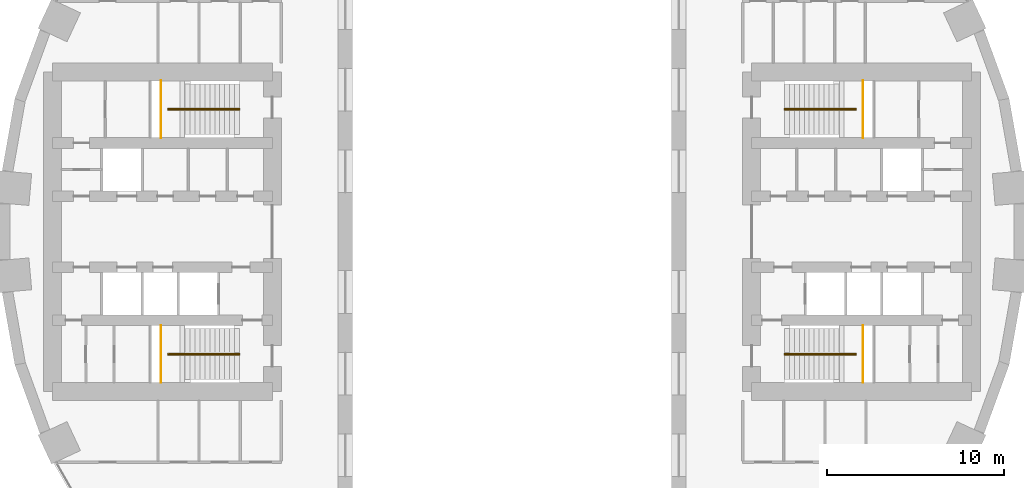
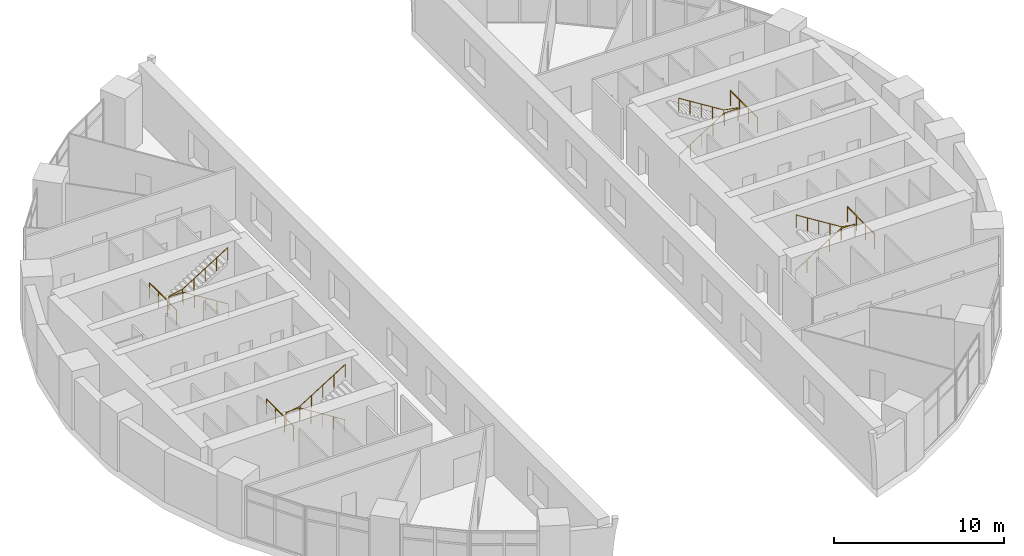
# One storey, part 13 of 13: 8 railings.
"""IFC4 building model written with IfcOpenShell, lengths in metres."""

from ifc_helpers import new_model, si_unit, direction, frame, origin, origin_2d, place, context, subcontext, project, spatial, circle, extrude, material, type_object, element, save


model = new_model("IFC4")

# Units and contexts
model_context = context("Model", 3, precision=1e-05, world=origin(), true_north=direction((0.0, 1.0)))
body_context = subcontext(model_context, "Body", "Model", "MODEL_VIEW")
ifc_project = project(units=[si_unit("LENGTHUNIT", "METRE"), si_unit("AREAUNIT", "SQUARE_METRE"), si_unit("VOLUMEUNIT", "CUBIC_METRE"), si_unit("PLANEANGLEUNIT", "RADIAN"), si_unit("MASSUNIT", "GRAM", prefix="KILO")], contexts=[model_context])

# Site, building, storey
site_placement = place(None, origin())
site = spatial("IfcSite", under=ifc_project, at=site_placement, CompositionType="ELEMENT")
building_placement = place(site_placement, origin())
building = spatial("IfcBuilding", under=site, at=building_placement, Name="Saqina Gate Tower", CompositionType="ELEMENT")
storey_placement = place(building_placement, frame((0.0, 0.0, 5.0)))
storey = spatial("IfcBuildingStorey", under=building, at=storey_placement, Name="L01", CompositionType="ELEMENT", Elevation=5.0)

# Railings
ifc_material_1 = material(Name="Stainless steel", Category="steel")
railing_type_1 = type_object("IfcRailingType", Name="STAIR GUARD", PredefinedType="GUARDRAIL", material=ifc_material_1)
railing_1_placement = place(storey_placement, frame((19.780029296875, 5.300048828125, 2.10009765625)))
element("IfcRailing", 1, at=railing_1_placement, inside=storey, type_object=railing_type_1, Name="STAIR GUARD", PredefinedType="GUARDRAIL", context=body_context, shape_type="SweptSolid", body=[
    extrude(circle(Radius=0.02392578125, at=origin_2d()), frame((0.0, 0.0, 1.076171875), z_axis=(0.0, 1.0, 0.0), x_axis=(-1.0, 0.0, 0.0)), (0.0, 0.0, 1.0), 3.199951171875),
    extrude(circle(Radius=0.02099609375, at=origin_2d()), origin(), (0.0, 0.0, 1.0), 1.052001953125),
    extrude(circle(Radius=0.02099609375, at=origin_2d()), frame((0.0, 1.066650390625, 0.0)), (0.0, 0.0, 1.0), 1.052001953125),
    extrude(circle(Radius=0.02099609375, at=origin_2d()), frame((0.0, 2.13330078125, 0.0)), (0.0, 0.0, 1.0), 1.052001953125),
    extrude(circle(Radius=0.02099609375, at=origin_2d()), frame((0.0, 3.199951171875, 0.0)), (0.0, 0.0, 1.0), 1.052001953125),
])
railing_2_placement = place(storey_placement, frame((19.780029296875, -5.300048828125, 2.10009765625)))
element("IfcRailing", 2, at=railing_2_placement, inside=storey, type_object=railing_type_1, Name="STAIR GUARD", PredefinedType="GUARDRAIL", context=body_context, shape_type="SweptSolid", body=[
    extrude(circle(Radius=0.02392578125, at=origin_2d()), frame((0.0, 0.0, 1.076171875), z_axis=(0.0, -1.0, 0.0), x_axis=(1.0, 0.0, 0.0)), (0.0, 0.0, 1.0), 3.199951171875),
    extrude(circle(Radius=0.02099609375, at=origin_2d()), origin(), (0.0, 0.0, 1.0), 1.052001953125),
    extrude(circle(Radius=0.02099609375, at=origin_2d()), frame((0.0, -1.066650390625, 0.0)), (0.0, 0.0, 1.0), 1.052001953125),
    extrude(circle(Radius=0.02099609375, at=origin_2d()), frame((0.0, -2.13330078125, 0.0)), (0.0, 0.0, 1.0), 1.052001953125),
    extrude(circle(Radius=0.02099609375, at=origin_2d()), frame((0.0, -3.199951171875, 0.0)), (0.0, 0.0, 1.0), 1.052001953125),
])
railing_3_placement = place(storey_placement, frame((-19.780029296875, 5.300048828125, 2.10009765625)))
element("IfcRailing", 3, at=railing_3_placement, inside=storey, type_object=railing_type_1, Name="STAIR GUARD", PredefinedType="GUARDRAIL", context=body_context, shape_type="SweptSolid", body=[
    extrude(circle(Radius=0.02392578125, at=origin_2d()), frame((0.0, 0.0, 1.076171875), z_axis=(0.0, 1.0, 0.0), x_axis=(-1.0, 0.0, 0.0)), (0.0, 0.0, 1.0), 3.199951171875),
    extrude(circle(Radius=0.02099609375, at=origin_2d()), origin(), (0.0, 0.0, 1.0), 1.052001953125),
    extrude(circle(Radius=0.02099609375, at=origin_2d()), frame((0.0, 1.066650390625, 0.0)), (0.0, 0.0, 1.0), 1.052001953125),
    extrude(circle(Radius=0.02099609375, at=origin_2d()), frame((0.0, 2.13330078125, 0.0)), (0.0, 0.0, 1.0), 1.052001953125),
    extrude(circle(Radius=0.02099609375, at=origin_2d()), frame((0.0, 3.199951171875, 0.0)), (0.0, 0.0, 1.0), 1.052001953125),
])
railing_4_placement = place(storey_placement, frame((-19.780029296875, -5.300048828125, 2.10009765625)))
element("IfcRailing", 4, at=railing_4_placement, inside=storey, type_object=railing_type_1, Name="STAIR GUARD", PredefinedType="GUARDRAIL", context=body_context, shape_type="SweptSolid", body=[
    extrude(circle(Radius=0.02392578125, at=origin_2d()), frame((0.0, 0.0, 1.076171875), z_axis=(0.0, -1.0, 0.0), x_axis=(1.0, 0.0, 0.0)), (0.0, 0.0, 1.0), 3.199951171875),
    extrude(circle(Radius=0.02099609375, at=origin_2d()), origin(), (0.0, 0.0, 1.0), 1.052001953125),
    extrude(circle(Radius=0.02099609375, at=origin_2d()), frame((0.0, -1.066650390625, 0.0)), (0.0, 0.0, 1.0), 1.052001953125),
    extrude(circle(Radius=0.02099609375, at=origin_2d()), frame((0.0, -2.13330078125, 0.0)), (0.0, 0.0, 1.0), 1.052001953125),
    extrude(circle(Radius=0.02099609375, at=origin_2d()), frame((0.0, -3.199951171875, 0.0)), (0.0, 0.0, 1.0), 1.052001953125),
])
ifc_material_2 = material(Name="Stainless steel", Category="steel")
railing_type_2 = type_object("IfcRailingType", Name="STAIR HANDRAIL", PredefinedType="HANDRAIL", material=ifc_material_2)
railing_5_placement = place(storey_placement, frame((15.35009765625, 6.86669921875, 0.175048828125)))
element("IfcRailing", 5, at=railing_5_placement, inside=storey, type_object=railing_type_2, Name="EXIT STAIR 1 HANDRAIL", PredefinedType="HANDRAIL", context=body_context, shape_type="SweptSolid", body=[
    extrude(circle(Radius=0.02392578125, at=origin_2d()), frame((0.0, 0.0, 0.92578125), z_axis=(0.847979421464, 0.0, 0.530029150871), x_axis=(0.0, 1.0, 0.0)), (0.0, 0.0, 1.0), 3.632080078125),
    extrude(circle(Radius=0.02392578125, at=origin_2d()), frame((3.079833984375, 0.0, 2.85107421875), z_axis=(1.0, 0.0, 0.0), x_axis=(0.0, 1.0, 0.0)), (0.0, 0.0, 1.0), 0.949951171875),
    extrude(circle(Radius=0.02392578125, at=origin_2d()), frame((4.02978515625, 0.0, 2.85107421875), z_axis=(0.0, 1.0, 0.0), x_axis=(-1.0, 0.0, 0.0)), (0.0, 0.0, 1.0), 0.066650390625),
    extrude(circle(Radius=0.02392578125, at=origin_2d()), frame((4.02978515625, 0.066650390625, 2.85107421875), z_axis=(-0.98348753807, 0.0, 0.180975861542), x_axis=(0.0, -1.0, 0.0)), (0.0, 0.0, 1.0), 0.9658203125),
    extrude(circle(Radius=0.02392578125, at=origin_2d()), frame((3.079833984375, 0.066650390625, 3.02587890625), z_axis=(-0.847979421464, 0.0, 0.530029150871), x_axis=(0.0, -1.0, 0.0)), (0.0, 0.0, 1.0), 3.632080078125),
    extrude(circle(Radius=0.02099609375, at=origin_2d()), origin(), (0.0, 0.0, 1.0), 0.90185546875),
    extrude(circle(Radius=0.02099609375, at=origin_2d()), frame((0.77001953125, 0.0, 0.481201171875)), (0.0, 0.0, 1.0), 0.90185546875),
    extrude(circle(Radius=0.02099609375, at=origin_2d()), frame((1.5400390625, 0.0, 0.96240234375)), (0.0, 0.0, 1.0), 0.90185546875),
    extrude(circle(Radius=0.02099609375, at=origin_2d()), frame((2.309814453125, 0.0, 1.44384765625)), (0.0, 0.0, 1.0), 0.90185546875),
    extrude(circle(Radius=0.02099609375, at=origin_2d()), frame((3.079833984375, 0.0, 1.925048828125)), (0.0, 0.0, 1.0), 0.90185546875),
    extrude(circle(Radius=0.02099609375, at=origin_2d()), frame((4.02978515625, 0.0, 1.925048828125)), (0.0, 0.0, 1.0), 0.90185546875),
    extrude(circle(Radius=0.02099609375, at=origin_2d()), frame((4.02978515625, 0.066650390625, 1.925048828125)), (0.0, 0.0, 1.0), 0.90185546875),
    extrude(circle(Radius=0.02099609375, at=origin_2d()), frame((3.079833984375, 0.066650390625, 2.099853515625)), (0.0, 0.0, 1.0), 0.90185546875),
    extrude(circle(Radius=0.02099609375, at=origin_2d()), frame((2.309814453125, 0.066650390625, 2.5810546875)), (0.0, 0.0, 1.0), 0.90185546875),
    extrude(circle(Radius=0.02099609375, at=origin_2d()), frame((1.5400390625, 0.066650390625, 3.0625)), (0.0, 0.0, 1.0), 0.90185546875),
    extrude(circle(Radius=0.02099609375, at=origin_2d()), frame((0.77001953125, 0.066650390625, 3.543701171875)), (0.0, 0.0, 1.0), 0.90185546875),
    extrude(circle(Radius=0.02099609375, at=origin_2d()), frame((0.0, 0.066650390625, 4.02490234375)), (0.0, 0.0, 1.0), 0.90185546875),
])
railing_6_placement = place(storey_placement, frame((15.35009765625, -6.86669921875, 0.175048828125)))
element("IfcRailing", 6, at=railing_6_placement, inside=storey, type_object=railing_type_2, Name="EXIT STAIR 2 HANDRAIL", PredefinedType="HANDRAIL", context=body_context, shape_type="SweptSolid", body=[
    extrude(circle(Radius=0.02392578125, at=origin_2d()), frame((0.0, 0.0, 0.92578125), z_axis=(0.847979421464, 0.0, 0.530029150871), x_axis=(0.0, 1.0, 0.0)), (0.0, 0.0, 1.0), 3.632080078125),
    extrude(circle(Radius=0.02392578125, at=origin_2d()), frame((3.079833984375, 0.0, 2.85107421875), z_axis=(1.0, 0.0, 0.0), x_axis=(0.0, 1.0, 0.0)), (0.0, 0.0, 1.0), 0.949951171875),
    extrude(circle(Radius=0.02392578125, at=origin_2d()), frame((4.02978515625, 0.0, 2.85107421875), z_axis=(0.0, -1.0, 0.0), x_axis=(1.0, 0.0, 0.0)), (0.0, 0.0, 1.0), 0.066650390625),
    extrude(circle(Radius=0.02392578125, at=origin_2d()), frame((4.02978515625, -0.066650390625, 2.85107421875), z_axis=(-0.98348753807, 0.0, 0.180975861542), x_axis=(0.0, -1.0, 0.0)), (0.0, 0.0, 1.0), 0.9658203125),
    extrude(circle(Radius=0.02392578125, at=origin_2d()), frame((3.079833984375, -0.066650390625, 3.02587890625), z_axis=(-0.847979421464, 0.0, 0.530029150871), x_axis=(0.0, -1.0, 0.0)), (0.0, 0.0, 1.0), 3.632080078125),
    extrude(circle(Radius=0.02099609375, at=origin_2d()), origin(), (0.0, 0.0, 1.0), 0.90185546875),
    extrude(circle(Radius=0.02099609375, at=origin_2d()), frame((0.77001953125, 0.0, 0.481201171875)), (0.0, 0.0, 1.0), 0.90185546875),
    extrude(circle(Radius=0.02099609375, at=origin_2d()), frame((1.5400390625, 0.0, 0.96240234375)), (0.0, 0.0, 1.0), 0.90185546875),
    extrude(circle(Radius=0.02099609375, at=origin_2d()), frame((2.309814453125, 0.0, 1.44384765625)), (0.0, 0.0, 1.0), 0.90185546875),
    extrude(circle(Radius=0.02099609375, at=origin_2d()), frame((3.079833984375, 0.0, 1.925048828125)), (0.0, 0.0, 1.0), 0.90185546875),
    extrude(circle(Radius=0.02099609375, at=origin_2d()), frame((4.02978515625, 0.0, 1.925048828125)), (0.0, 0.0, 1.0), 0.90185546875),
    extrude(circle(Radius=0.02099609375, at=origin_2d()), frame((4.02978515625, -0.066650390625, 1.925048828125)), (0.0, 0.0, 1.0), 0.90185546875),
    extrude(circle(Radius=0.02099609375, at=origin_2d()), frame((3.079833984375, -0.066650390625, 2.099853515625)), (0.0, 0.0, 1.0), 0.90185546875),
    extrude(circle(Radius=0.02099609375, at=origin_2d()), frame((2.309814453125, -0.066650390625, 2.5810546875)), (0.0, 0.0, 1.0), 0.90185546875),
    extrude(circle(Radius=0.02099609375, at=origin_2d()), frame((1.5400390625, -0.066650390625, 3.0625)), (0.0, 0.0, 1.0), 0.90185546875),
    extrude(circle(Radius=0.02099609375, at=origin_2d()), frame((0.77001953125, -0.066650390625, 3.543701171875)), (0.0, 0.0, 1.0), 0.90185546875),
    extrude(circle(Radius=0.02099609375, at=origin_2d()), frame((0.0, -0.066650390625, 4.02490234375)), (0.0, 0.0, 1.0), 0.90185546875),
])
railing_7_placement = place(storey_placement, frame((-15.35009765625, 6.86669921875, 0.175048828125)))
element("IfcRailing", 7, at=railing_7_placement, inside=storey, type_object=railing_type_2, Name="EXIT STAIR 3 HANDRAIL", PredefinedType="HANDRAIL", context=body_context, shape_type="SweptSolid", body=[
    extrude(circle(Radius=0.02392578125, at=origin_2d()), frame((0.0, 0.0, 0.92578125), z_axis=(-0.847979421464, 0.0, 0.530029150871), x_axis=(0.0, -1.0, 0.0)), (0.0, 0.0, 1.0), 3.632080078125),
    extrude(circle(Radius=0.02392578125, at=origin_2d()), frame((-3.079833984375, 0.0, 2.85107421875), z_axis=(-1.0, 0.0, 0.0), x_axis=(0.0, -1.0, 0.0)), (0.0, 0.0, 1.0), 0.949951171875),
    extrude(circle(Radius=0.02392578125, at=origin_2d()), frame((-4.02978515625, 0.0, 2.85107421875), z_axis=(0.0, 1.0, 0.0), x_axis=(-1.0, 0.0, 0.0)), (0.0, 0.0, 1.0), 0.066650390625),
    extrude(circle(Radius=0.02392578125, at=origin_2d()), frame((-4.02978515625, 0.066650390625, 2.85107421875), z_axis=(0.98348753807, 0.0, 0.180975861542), x_axis=(0.0, 1.0, 0.0)), (0.0, 0.0, 1.0), 0.9658203125),
    extrude(circle(Radius=0.02392578125, at=origin_2d()), frame((-3.079833984375, 0.066650390625, 3.02587890625), z_axis=(0.847979421464, 0.0, 0.530029150871), x_axis=(0.0, 1.0, 0.0)), (0.0, 0.0, 1.0), 3.632080078125),
    extrude(circle(Radius=0.02099609375, at=origin_2d()), origin(), (0.0, 0.0, 1.0), 0.90185546875),
    extrude(circle(Radius=0.02099609375, at=origin_2d()), frame((-0.77001953125, 0.0, 0.481201171875)), (0.0, 0.0, 1.0), 0.90185546875),
    extrude(circle(Radius=0.02099609375, at=origin_2d()), frame((-1.5400390625, 0.0, 0.96240234375)), (0.0, 0.0, 1.0), 0.90185546875),
    extrude(circle(Radius=0.02099609375, at=origin_2d()), frame((-2.309814453125, 0.0, 1.44384765625)), (0.0, 0.0, 1.0), 0.90185546875),
    extrude(circle(Radius=0.02099609375, at=origin_2d()), frame((-3.079833984375, 0.0, 1.925048828125)), (0.0, 0.0, 1.0), 0.90185546875),
    extrude(circle(Radius=0.02099609375, at=origin_2d()), frame((-4.02978515625, 0.0, 1.925048828125)), (0.0, 0.0, 1.0), 0.90185546875),
    extrude(circle(Radius=0.02099609375, at=origin_2d()), frame((-4.02978515625, 0.066650390625, 1.925048828125)), (0.0, 0.0, 1.0), 0.90185546875),
    extrude(circle(Radius=0.02099609375, at=origin_2d()), frame((-3.079833984375, 0.066650390625, 2.099853515625)), (0.0, 0.0, 1.0), 0.90185546875),
    extrude(circle(Radius=0.02099609375, at=origin_2d()), frame((-2.309814453125, 0.066650390625, 2.5810546875)), (0.0, 0.0, 1.0), 0.90185546875),
    extrude(circle(Radius=0.02099609375, at=origin_2d()), frame((-1.5400390625, 0.066650390625, 3.0625)), (0.0, 0.0, 1.0), 0.90185546875),
    extrude(circle(Radius=0.02099609375, at=origin_2d()), frame((-0.77001953125, 0.066650390625, 3.543701171875)), (0.0, 0.0, 1.0), 0.90185546875),
    extrude(circle(Radius=0.02099609375, at=origin_2d()), frame((0.0, 0.066650390625, 4.02490234375)), (0.0, 0.0, 1.0), 0.90185546875),
])
railing_8_placement = place(storey_placement, frame((-15.35009765625, -6.86669921875, 0.175048828125)))
element("IfcRailing", 8, at=railing_8_placement, inside=storey, type_object=railing_type_2, Name="EXIT STAIR 4 HANDRAIL", PredefinedType="HANDRAIL", context=body_context, shape_type="SweptSolid", body=[
    extrude(circle(Radius=0.02392578125, at=origin_2d()), frame((0.0, 0.0, 0.92578125), z_axis=(-0.847979421464, 0.0, 0.530029150871), x_axis=(0.0, -1.0, 0.0)), (0.0, 0.0, 1.0), 3.632080078125),
    extrude(circle(Radius=0.02392578125, at=origin_2d()), frame((-3.079833984375, 0.0, 2.85107421875), z_axis=(-1.0, 0.0, 0.0), x_axis=(0.0, -1.0, 0.0)), (0.0, 0.0, 1.0), 0.949951171875),
    extrude(circle(Radius=0.02392578125, at=origin_2d()), frame((-4.02978515625, 0.0, 2.85107421875), z_axis=(0.0, -1.0, 0.0), x_axis=(1.0, 0.0, 0.0)), (0.0, 0.0, 1.0), 0.066650390625),
    extrude(circle(Radius=0.02392578125, at=origin_2d()), frame((-4.02978515625, -0.066650390625, 2.85107421875), z_axis=(0.98348753807, 0.0, 0.180975861542), x_axis=(0.0, 1.0, 0.0)), (0.0, 0.0, 1.0), 0.9658203125),
    extrude(circle(Radius=0.02392578125, at=origin_2d()), frame((-3.079833984375, -0.066650390625, 3.02587890625), z_axis=(0.847979421464, 0.0, 0.530029150871), x_axis=(0.0, 1.0, 0.0)), (0.0, 0.0, 1.0), 3.632080078125),
    extrude(circle(Radius=0.02099609375, at=origin_2d()), origin(), (0.0, 0.0, 1.0), 0.90185546875),
    extrude(circle(Radius=0.02099609375, at=origin_2d()), frame((-0.77001953125, 0.0, 0.481201171875)), (0.0, 0.0, 1.0), 0.90185546875),
    extrude(circle(Radius=0.02099609375, at=origin_2d()), frame((-1.5400390625, 0.0, 0.96240234375)), (0.0, 0.0, 1.0), 0.90185546875),
    extrude(circle(Radius=0.02099609375, at=origin_2d()), frame((-2.309814453125, 0.0, 1.44384765625)), (0.0, 0.0, 1.0), 0.90185546875),
    extrude(circle(Radius=0.02099609375, at=origin_2d()), frame((-3.079833984375, 0.0, 1.925048828125)), (0.0, 0.0, 1.0), 0.90185546875),
    extrude(circle(Radius=0.02099609375, at=origin_2d()), frame((-4.02978515625, 0.0, 1.925048828125)), (0.0, 0.0, 1.0), 0.90185546875),
    extrude(circle(Radius=0.02099609375, at=origin_2d()), frame((-4.02978515625, -0.066650390625, 1.925048828125)), (0.0, 0.0, 1.0), 0.90185546875),
    extrude(circle(Radius=0.02099609375, at=origin_2d()), frame((-3.079833984375, -0.066650390625, 2.099853515625)), (0.0, 0.0, 1.0), 0.90185546875),
    extrude(circle(Radius=0.02099609375, at=origin_2d()), frame((-2.309814453125, -0.066650390625, 2.5810546875)), (0.0, 0.0, 1.0), 0.90185546875),
    extrude(circle(Radius=0.02099609375, at=origin_2d()), frame((-1.5400390625, -0.066650390625, 3.0625)), (0.0, 0.0, 1.0), 0.90185546875),
    extrude(circle(Radius=0.02099609375, at=origin_2d()), frame((-0.77001953125, -0.066650390625, 3.543701171875)), (0.0, 0.0, 1.0), 0.90185546875),
    extrude(circle(Radius=0.02099609375, at=origin_2d()), frame((0.0, -0.066650390625, 4.02490234375)), (0.0, 0.0, 1.0), 0.90185546875),
])

save(model, "model.ifc")
